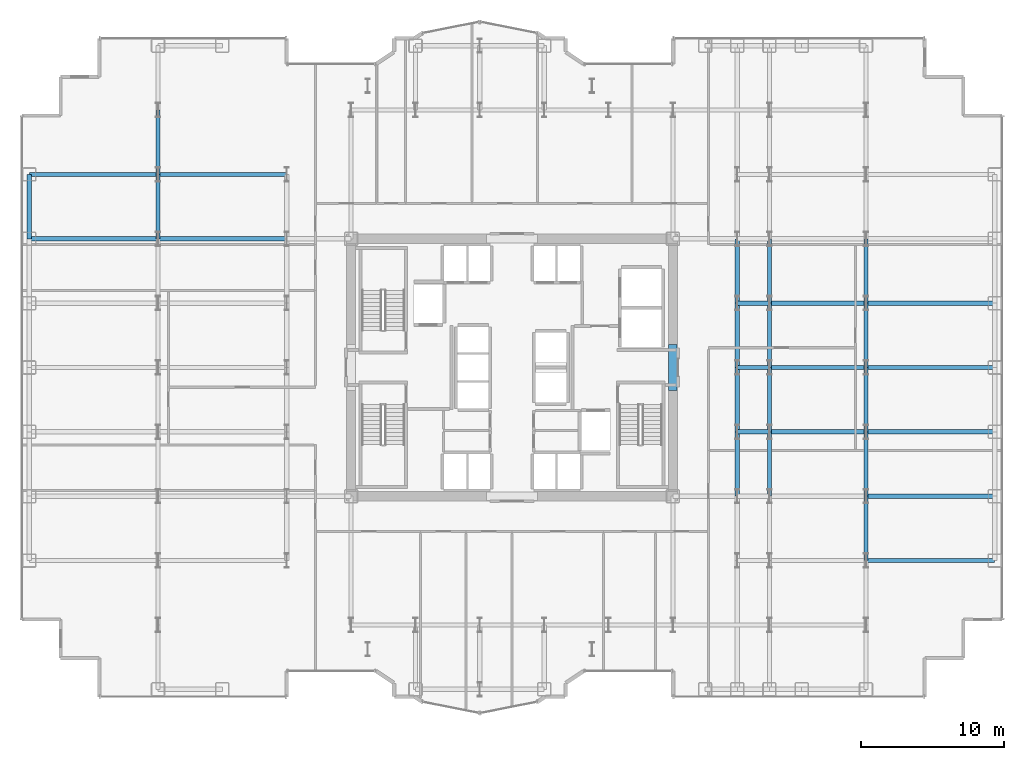
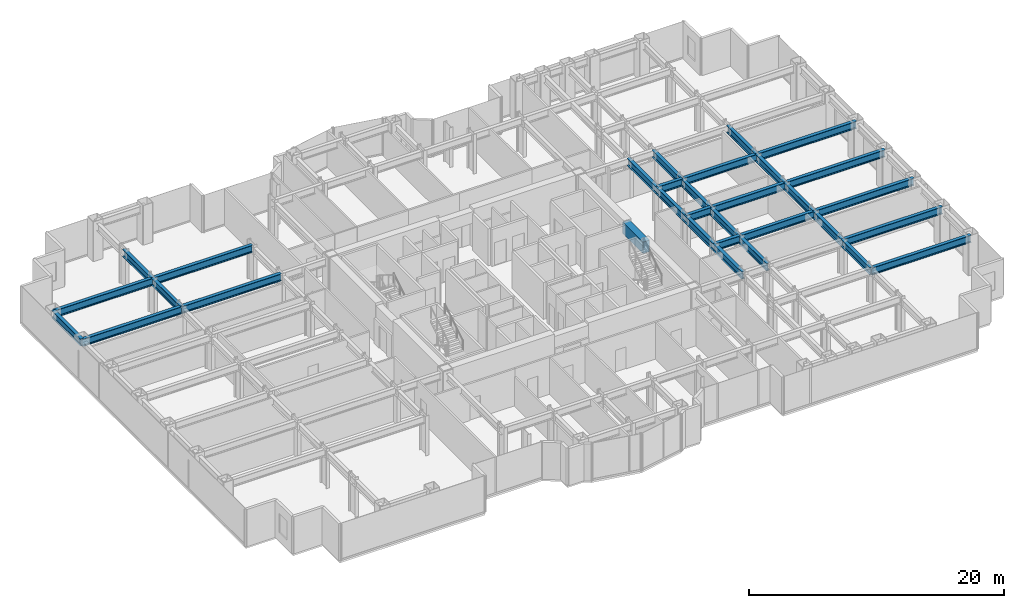
# One storey, part 8 of 25: 32 beams.
"""IFC4 building model written with IfcOpenShell, lengths in metres."""

from ifc_helpers import new_model, si_unit, direction, frame, origin, origin_2d, place, context, subcontext, project, spatial, rectangle, i_section, extrude, source, transform, mapped, material, material_profile, profile_set, type_object, element, save


model = new_model("IFC4")

# Units and contexts
model_context = context("Model", 3, precision=1e-05, world=origin(), true_north=direction((0.0, 1.0)))
body_context = subcontext(model_context, "Body", "Model", "MODEL_VIEW")
ifc_project = project(units=[si_unit("LENGTHUNIT", "METRE"), si_unit("AREAUNIT", "SQUARE_METRE"), si_unit("VOLUMEUNIT", "CUBIC_METRE"), si_unit("PLANEANGLEUNIT", "RADIAN"), si_unit("MASSUNIT", "GRAM", prefix="KILO")], contexts=[model_context])

# Site, building, storey
site_placement = place(None, origin())
site = spatial("IfcSite", under=ifc_project, at=site_placement, CompositionType="ELEMENT")
building_placement = place(site_placement, origin())
building = spatial("IfcBuilding", under=site, at=building_placement, Name="Nefas-Gora Pilgrimage Tower", CompositionType="ELEMENT")
storey_placement = place(building_placement, frame((0.0, 0.0, 71.0)))
storey = spatial("IfcBuildingStorey", under=building, at=storey_placement, Name="L16", CompositionType="ELEMENT", Elevation=71.0)

# Beams
ifc_material_1 = material(Name="Concrete C60/75", Category="concrete")
ifc_material_profile_1 = material_profile(ifc_material_1, rectangle(XDim=0.60009765625, YDim=1.10009765625, at=origin_2d()), Name="RC 600x1100")
ifc_profile_set_1 = profile_set([ifc_material_profile_1], Name="Concrete C60/75")
beam_type_1 = type_object("IfcBeamType", Name="BM-LIN-RC1100", PredefinedType="LINTEL", material=ifc_profile_set_1)
shared_shape_1 = source(origin(), body_context, "Body", "SweptSolid", [
    extrude(rectangle(XDim=0.60009765625, YDim=1.10009765625, at=origin_2d()), origin(), (0.0, 0.0, 1.0), 3.2001953125),
])
beam_1_placement = place(storey_placement, frame((11.25, -1.60009765625, 3.0), z_axis=(0.0, 1.0, 0.0), x_axis=(-1.0, 0.0, 0.0)))
element("IfcBeam", 1, at=beam_1_placement, inside=storey, type_object=beam_type_1, Name="L16 Core Coupling Lintel Beam E", PredefinedType="LINTEL", context=body_context, shape_type="MappedRepresentation", body=[
    mapped(shared_shape_1, transform((0.0, 0.0, 0.0), x_axis=(1.0, 0.0, 0.0), y_axis=(0.0, 1.0, 0.0), z_axis=(0.0, 0.0, 1.0), scale=1.0)),
])
ifc_material_2 = material(Name="Steel S355", Category="steel")
ifc_material_profile_2 = material_profile(ifc_material_2, i_section(OverallWidth=0.300048828125, OverallDepth=0.699951171875, WebThickness=0.01708984375, FlangeThickness=0.031982421875, FilletRadius=0.027099609375, at=origin_2d()), Name="HEB 700")
ifc_profile_set_2 = profile_set([ifc_material_profile_2], Name="Steel S355")
beam_type_2 = type_object("IfcBeamType", Name="BM-SPN-HEB600", PredefinedType="SPANDREL", material=ifc_profile_set_2)
shared_shape_2 = source(origin(), body_context, "Body", "SweptSolid", [
    extrude(i_section(OverallWidth=0.300048828125, OverallDepth=0.699951171875, WebThickness=0.01708984375, FlangeThickness=0.031982421875, FilletRadius=0.027099609375, at=origin_2d()), origin(), (0.0, 0.0, 1.0), 4.5),
])
beam_2_placement = place(storey_placement, frame((-33.75, 9.0, 3.199951171875), z_axis=(0.0, 1.0, 0.0), x_axis=(-1.0, 0.0, 0.0)))
element("IfcBeam", 2, at=beam_2_placement, inside=storey, type_object=beam_type_2, Name="L16 SP-01 beam", PredefinedType="SPANDREL", context=body_context, shape_type="MappedRepresentation", body=[
    mapped(shared_shape_2, transform((0.0, 0.0, 0.0), x_axis=(1.0, 0.0, 0.0), y_axis=(0.0, 1.0, 0.0), z_axis=(0.0, 0.0, 1.0), scale=1.0)),
])
ifc_material_profile_3 = material_profile(ifc_material_2, i_section(OverallWidth=0.300048828125, OverallDepth=0.699951171875, WebThickness=0.01708984375, FlangeThickness=0.031982421875, FilletRadius=0.027099609375, at=origin_2d()), Name="HEB 700")
ifc_profile_set_3 = profile_set([ifc_material_profile_3], Name="Steel S355")
beam_type_3 = type_object("IfcBeamType", Name="BM-GIR-HEB700", PredefinedType="BEAM", material=ifc_profile_set_3)
shared_shape_3 = source(origin(), body_context, "Body", "SweptSolid", [
    extrude(i_section(OverallWidth=0.300048828125, OverallDepth=0.699951171875, WebThickness=0.01708984375, FlangeThickness=0.031982421875, FilletRadius=0.027099609375, at=origin_2d()), origin(), (0.0, 0.0, 1.0), 9.0),
])
for number, where, z_axis, x_axis, name in (
    (3, (-33.75, 9.0, 3.199951171875), (1.0, 0.0, 0.0), (0.0, 1.0, 0.0), "L16 G-02 beam"),
    (4, (-33.75, 13.5, 3.199951171875), (1.0, 0.0, 0.0), (0.0, 1.0, 0.0), "L16 G-02 beam"),
    (5, (-24.75, 9.0, 3.199951171875), (1.0, 0.0, 0.0), (0.0, 1.0, 0.0), "L16 G-02 beam"),
    (6, (-24.75, 13.5, 3.199951171875), (1.0, 0.0, 0.0), (0.0, 1.0, 0.0), "L16 G-02 beam"),
    (7, (24.75, -13.5, 3.199951171875), (1.0, 0.0, 0.0), (0.0, 1.0, 0.0), "L16 G-02 beam"),
    (8, (24.75, -9.0, 3.199951171875), (1.0, 0.0, 0.0), (0.0, 1.0, 0.0), "L16 G-02 beam"),
    (9, (24.75, -4.5, 3.199951171875), (1.0, 0.0, 0.0), (0.0, 1.0, 0.0), "L16 G-02 beam"),
    (10, (24.75, 0.0, 3.199951171875), (1.0, 0.0, 0.0), (0.0, 1.0, 0.0), "L16 G-02 beam"),
    (11, (24.75, 4.5, 3.199951171875), (1.0, 0.0, 0.0), (0.0, 1.0, 0.0), "L16 G-02 beam"),
):
    element("IfcBeam", number, at=place(storey_placement, frame(where, z_axis=z_axis, x_axis=x_axis)), inside=storey, type_object=beam_type_3, Name=name, PredefinedType="BEAM", context=body_context, shape_type="MappedRepresentation", body=[
        mapped(shared_shape_3, transform((0.0, 0.0, 0.0), x_axis=(1.0, 0.0, 0.0), y_axis=(0.0, 1.0, 0.0), z_axis=(0.0, 0.0, 1.0), scale=1.0)),
    ])
shared_shape_4 = source(origin(), body_context, "Body", "SweptSolid", [
    extrude(i_section(OverallWidth=0.300048828125, OverallDepth=0.699951171875, WebThickness=0.01708984375, FlangeThickness=0.031982421875, FilletRadius=0.027099609375, at=origin_2d()), origin(), (0.0, 0.0, 1.0), 4.5),
])
for number, where, z_axis, x_axis, name in (
    (12, (-24.75, 9.0, 3.199951171875), (0.0, 1.0, 0.0), (-1.0, 0.0, 0.0), "L16 G-02 beam"),
    (13, (-24.75, 13.5, 3.199951171875), (0.0, 1.0, 0.0), (-1.0, 0.0, 0.0), "L16 G-02 beam"),
    (14, (15.75, -9.0, 3.199951171875), (0.0, 1.0, 0.0), (-1.0, 0.0, 0.0), "L16 G-02 beam"),
    (15, (15.75, -4.5, 3.199951171875), (0.0, 1.0, 0.0), (-1.0, 0.0, 0.0), "L16 G-02 beam"),
    (16, (15.75, 0.0, 3.199951171875), (0.0, 1.0, 0.0), (-1.0, 0.0, 0.0), "L16 G-02 beam"),
    (17, (15.75, 4.5, 3.199951171875), (0.0, 1.0, 0.0), (-1.0, 0.0, 0.0), "L16 G-02 beam"),
    (18, (18.0, -9.0, 3.199951171875), (0.0, 1.0, 0.0), (-1.0, 0.0, 0.0), "L16 G-02 beam"),
    (19, (18.0, -4.5, 3.199951171875), (0.0, 1.0, 0.0), (-1.0, 0.0, 0.0), "L16 G-02 beam"),
    (20, (18.0, 0.0, 3.199951171875), (0.0, 1.0, 0.0), (-1.0, 0.0, 0.0), "L16 G-02 beam"),
    (21, (18.0, 4.5, 3.199951171875), (0.0, 1.0, 0.0), (-1.0, 0.0, 0.0), "L16 G-02 beam"),
    (22, (24.75, -13.5, 3.199951171875), (0.0, 1.0, 0.0), (-1.0, 0.0, 0.0), "L16 G-02 beam"),
    (23, (24.75, -9.0, 3.199951171875), (0.0, 1.0, 0.0), (-1.0, 0.0, 0.0), "L16 G-02 beam"),
    (24, (24.75, -4.5, 3.199951171875), (0.0, 1.0, 0.0), (-1.0, 0.0, 0.0), "L16 G-02 beam"),
    (25, (24.75, 0.0, 3.199951171875), (0.0, 1.0, 0.0), (-1.0, 0.0, 0.0), "L16 G-02 beam"),
    (26, (24.75, 4.5, 3.199951171875), (0.0, 1.0, 0.0), (-1.0, 0.0, 0.0), "L16 G-02 beam"),
):
    element("IfcBeam", number, at=place(storey_placement, frame(where, z_axis=z_axis, x_axis=x_axis)), inside=storey, type_object=beam_type_3, Name=name, PredefinedType="BEAM", context=body_context, shape_type="MappedRepresentation", body=[
        mapped(shared_shape_4, transform((0.0, 0.0, 0.0), x_axis=(1.0, 0.0, 0.0), y_axis=(0.0, 1.0, 0.0), z_axis=(0.0, 0.0, 1.0), scale=1.0)),
    ])
shared_shape_5 = source(origin(), body_context, "Body", "SweptSolid", [
    extrude(i_section(OverallWidth=0.300048828125, OverallDepth=0.699951171875, WebThickness=0.01708984375, FlangeThickness=0.031982421875, FilletRadius=0.027099609375, at=origin_2d()), origin(), (0.0, 0.0, 1.0), 6.75),
])
for number, where, z_axis, x_axis, name in (
    (27, (18.0, -4.5, 3.199951171875), (1.0, 0.0, 0.0), (0.0, 1.0, 0.0), "L16 G-02 beam"),
    (28, (18.0, 0.0, 3.199951171875), (1.0, 0.0, 0.0), (0.0, 1.0, 0.0), "L16 G-02 beam"),
    (29, (18.0, 4.5, 3.199951171875), (1.0, 0.0, 0.0), (0.0, 1.0, 0.0), "L16 G-02 beam"),
):
    element("IfcBeam", number, at=place(storey_placement, frame(where, z_axis=z_axis, x_axis=x_axis)), inside=storey, type_object=beam_type_3, Name=name, PredefinedType="BEAM", context=body_context, shape_type="MappedRepresentation", body=[
        mapped(shared_shape_5, transform((0.0, 0.0, 0.0), x_axis=(1.0, 0.0, 0.0), y_axis=(0.0, 1.0, 0.0), z_axis=(0.0, 0.0, 1.0), scale=1.0)),
    ])
shared_shape_6 = source(origin(), body_context, "Body", "SweptSolid", [
    extrude(i_section(OverallWidth=0.300048828125, OverallDepth=0.699951171875, WebThickness=0.01708984375, FlangeThickness=0.031982421875, FilletRadius=0.027099609375, at=origin_2d()), origin(), (0.0, 0.0, 1.0), 2.25),
])
for number, where, z_axis, x_axis, name in (
    (30, (15.75, -4.5, 3.199951171875), (1.0, 0.0, 0.0), (0.0, 1.0, 0.0), "L16 G-02 beam"),
    (31, (15.75, 0.0, 3.199951171875), (1.0, 0.0, 0.0), (0.0, 1.0, 0.0), "L16 G-02 beam"),
    (32, (15.75, 4.5, 3.199951171875), (1.0, 0.0, 0.0), (0.0, 1.0, 0.0), "L16 G-02 beam"),
):
    element("IfcBeam", number, at=place(storey_placement, frame(where, z_axis=z_axis, x_axis=x_axis)), inside=storey, type_object=beam_type_3, Name=name, PredefinedType="BEAM", context=body_context, shape_type="MappedRepresentation", body=[
        mapped(shared_shape_6, transform((0.0, 0.0, 0.0), x_axis=(1.0, 0.0, 0.0), y_axis=(0.0, 1.0, 0.0), z_axis=(0.0, 0.0, 1.0), scale=1.0)),
    ])

save(model, "model.ifc")
